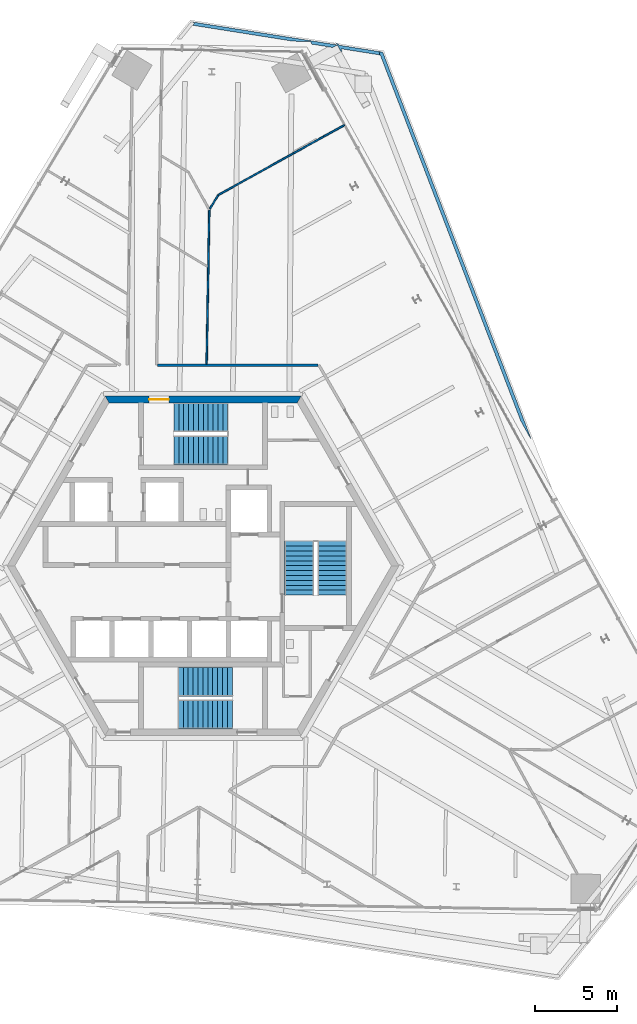
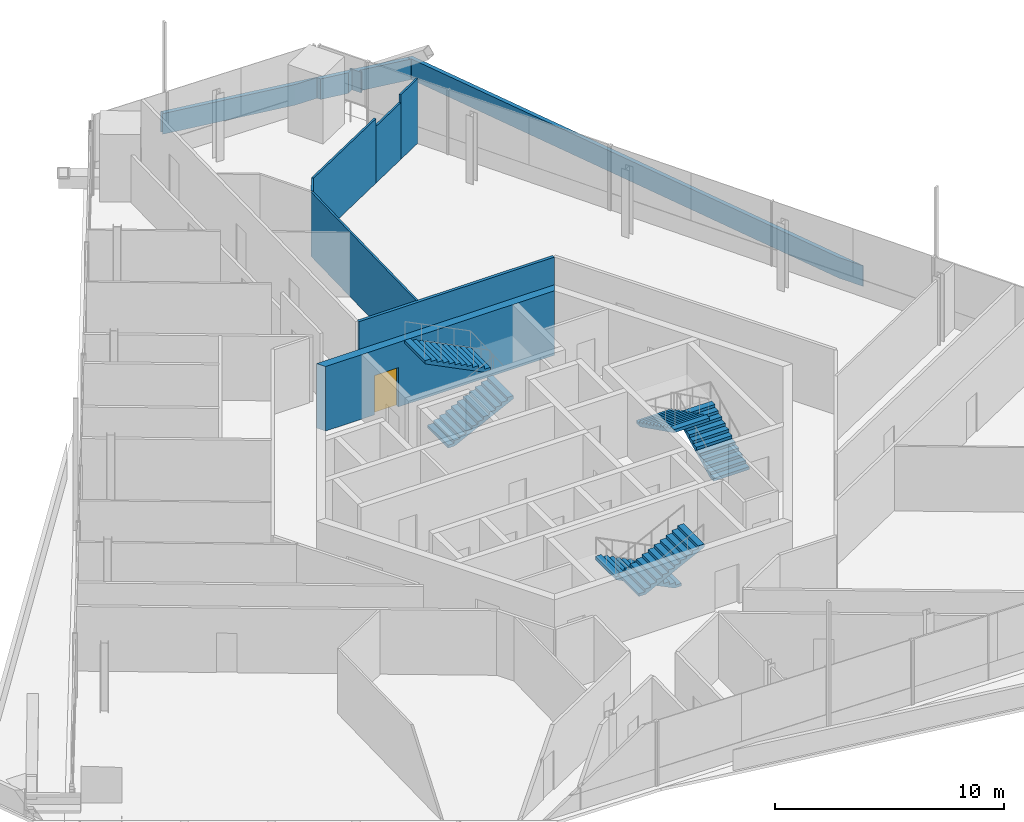
# One storey, part 18 of 22: 10 walls, 6 stair flights, 1 door, 1 opening, 3 elements without a shape of their own.
"""IFC4 building model written with IfcOpenShell, lengths in metres."""

from ifc_helpers import new_model, si_unit, direction, frame, frame_2d, origin, place, context, subcontext, project, spatial, polyline, rectangle, outline, extrude, source, transform, mapped, material, layer, layer_set, type_object, element, fill, aggregate, save


model = new_model("IFC4")

# Units and contexts
model_context = context("Model", 3, precision=1e-05, world=origin(), true_north=direction((0.0, 1.0)))
body_context = subcontext(model_context, "Body", "Model", "MODEL_VIEW")
ifc_project = project(units=[si_unit("LENGTHUNIT", "METRE"), si_unit("AREAUNIT", "SQUARE_METRE"), si_unit("VOLUMEUNIT", "CUBIC_METRE"), si_unit("PLANEANGLEUNIT", "RADIAN"), si_unit("MASSUNIT", "GRAM", prefix="KILO")], contexts=[model_context])

# Site, building, storey
site_placement = place(None, origin())
site = spatial("IfcSite", under=ifc_project, at=site_placement, CompositionType="ELEMENT")
building_placement = place(site_placement, origin())
building = spatial("IfcBuilding", under=site, at=building_placement, Name="Triune Harvest Tower", CompositionType="ELEMENT")
storey_placement = place(building_placement, frame((0.0, 0.0, 179.89990234375)))
storey = spatial("IfcBuildingStorey", under=building, at=storey_placement, Name="L46", CompositionType="ELEMENT", Elevation=179.89990234375)

# Walls
ifc_material_1 = material(Name="Gypsum board on steel studs", Category="steel")
ifc_layer_1 = layer(ifc_material_1, 0.14990234375)
ifc_layer_set_1 = layer_set([ifc_layer_1], Name="Gypsum board on steel studs")
wall_type_1 = type_object("IfcWallType", Name="Fire Partition 150 mm", PredefinedType="PARTITIONING", material=ifc_layer_set_1)
wall_1_placement = place(storey_placement, frame((-2.78955078125, 12.292236328125, 0.0), z_axis=(0.0, 0.0, 1.0), x_axis=(1.0, 0.0, 0.0)))
element("IfcWall", 1, at=wall_1_placement, inside=storey, type_object=wall_type_1, Name="Partition L46 032", PredefinedType="PARTITIONING", context=body_context, shape_type="SweptSolid", body=[
    extrude(rectangle(XDim=9.836669921875, YDim=0.14990234375, at=frame_2d((4.91845703125, 0.0))), origin(), (0.0, 0.0, 1.0), 3.440185546875),
])
ifc_material_2 = material(Name="Concrete 40 MPa", Category="concrete")
ifc_layer_2 = layer(ifc_material_2, 0.199951171875)
ifc_layer_set_2 = layer_set([ifc_layer_2], Name="Concrete 40 MPa")
wall_type_2 = type_object("IfcWallType", Name="PA-1 parapet 200", PredefinedType="PARAPET", material=ifc_layer_set_2)
wall_2_placement = place(storey_placement, origin())
element("IfcWall", 2, at=wall_2_placement, inside=storey, type_object=wall_type_2, Name="Parapet wedge L45 2.2", PredefinedType="PARAPET", context=body_context, shape_type="SweptSolid", body=[
    extrude(outline(polyline([(20.088134765625, 7.80419921875), (20.064453125, 7.793212890625), (19.45849609375, 8.886474609375), (10.856201171875, 31.2958984375), (10.83349609375, 31.299560546875), (10.775390625, 31.450439453125), (10.887451171875, 31.493408203125), (11.001708984375, 31.475341796875), (20.088134765625, 7.80419921875)])), origin(), (0.0, 0.0, 1.0), 1.10009765625),
])
wall_3_placement = place(storey_placement, origin())
element("IfcWall", 3, at=wall_3_placement, inside=storey, type_object=wall_type_2, Name="Parapet wedge L45 2.3", PredefinedType="PARAPET", context=body_context, shape_type="SweptSolid", body=[
    extrude(outline(polyline([(8.43701171875, 31.67919921875), (8.5146484375, 31.538818359375), (8.44873046875, 31.502197265625), (8.15771484375, 32.027099609375), (8.25244140625, 32.01220703125), (8.31396484375, 31.901123046875), (10.887451171875, 31.493408203125), (10.775390625, 31.450439453125), (10.83349609375, 31.299560546875), (8.43701171875, 31.67919921875)])), origin(), (0.0, 0.0, 1.0), 1.10009765625),
])
wall_4_placement = place(storey_placement, origin())
element("IfcWall", 4, at=wall_4_placement, inside=storey, type_object=wall_type_2, Name="Parapet wedge L45 2.4", PredefinedType="PARAPET", context=body_context, shape_type="SweptSolid", body=[
    extrude(outline(polyline([(6.669189453125, 31.958984375), (6.576904296875, 32.125244140625), (5.501953125, 32.14404296875), (-0.631103515625, 33.115478515625), (-0.529296875, 33.240966796875), (-0.62255859375, 33.31640625), (8.2265625, 31.9150390625), (7.9423828125, 31.757568359375), (6.669189453125, 31.958984375)])), origin(), (0.0, 0.0, 1.0), 1.10009765625),
])
ifc_material_3 = material(Name="Gypsum board on steel studs", Category="steel")
ifc_layer_3 = layer(ifc_material_3, 0.10009765625)
ifc_layer_set_3 = layer_set([ifc_layer_3], Name="Gypsum board on steel studs")
wall_type_3 = type_object("IfcWallType", Name="Partition 100 mm", PredefinedType="PARTITIONING", material=ifc_layer_set_3)
wall_5_placement = place(storey_placement, frame((0.9248046875, 22.718505859375, 0.0), z_axis=(0.0, 0.0, 1.0), x_axis=(0.874611490551, 0.484824443067, 0.0)))
element("IfcWall", 5, at=wall_5_placement, inside=storey, type_object=wall_type_3, Name="Partition L46 044", PredefinedType="PARTITIONING", context=body_context, shape_type="SweptSolid", body=[
    extrude(rectangle(XDim=5.29443359375, YDim=0.10009765625, at=frame_2d((2.647216796875, 0.0))), origin(), (0.0, 0.0, 1.0), 3.440185546875),
])
wall_6_placement = place(storey_placement, frame((5.555419921875, 25.285400390625, 0.0), z_axis=(0.0, 0.0, 1.0), x_axis=(0.874621898411, 0.484805667067, 0.0)))
element("IfcWall", 6, at=wall_6_placement, inside=storey, type_object=wall_type_3, Name="Partition L46 044a", PredefinedType="PARTITIONING", context=body_context, shape_type="SweptSolid", body=[
    extrude(rectangle(XDim=2.10498046875, YDim=0.10009765625, at=frame_2d((1.052490234375, 0.0))), origin(), (0.0, 0.0, 1.0), 3.0234375),
])
wall_7_placement = place(storey_placement, frame((7.396484375, 26.305908203125, 0.0), z_axis=(0.0, 0.0, 1.0), x_axis=(0.874655608454, 0.484744846904, 0.0)))
element("IfcWall", 7, at=wall_7_placement, inside=storey, type_object=wall_type_3, Name="Partition L46 044b", PredefinedType="PARTITIONING", context=body_context, shape_type="SweptSolid", body=[
    extrude(rectangle(XDim=1.45458984375, YDim=0.10009765625, at=frame_2d((0.727294921875, 0.0))), origin(), (0.0, 0.0, 1.0), 3.440185546875),
])
wall_8_placement = place(storey_placement, frame((0.416748046875, 21.872802734375, 0.0), z_axis=(0.0, 0.0, 1.0), x_axis=(0.514973592188, 0.85720604253, 0.0)))
element("IfcWall", 8, at=wall_8_placement, inside=storey, type_object=wall_type_3, Name="Partition L46 045", PredefinedType="PARTITIONING", context=body_context, shape_type="SweptSolid", body=[
    extrude(rectangle(XDim=0.9765625, YDim=0.10009765625, at=frame_2d((0.48828125, 0.0))), origin(), (0.0, 0.0, 1.0), 3.440185546875),
])
wall_9_placement = place(storey_placement, frame((0.215576171875, 12.352294921875, 0.0), z_axis=(0.0, 0.0, 1.0), x_axis=(0.017442507321, 0.999847867897, 0.0)))
element("IfcWall", 9, at=wall_9_placement, inside=storey, type_object=wall_type_3, Name="Partition L46 052", PredefinedType="PARTITIONING", context=body_context, shape_type="SweptSolid", body=[
    extrude(rectangle(XDim=9.4619140625, YDim=0.10009765625, at=frame_2d((4.73095703125, 0.0))), origin(), (0.0, 0.0, 1.0), 3.440185546875),
])

# Wall, opening, door
ifc_material_4 = material(Name="Concrete 70 MPa", Category="concrete")
ifc_layer_4 = layer(ifc_material_4, 0.39990234375)
ifc_layer_set_4 = layer_set([ifc_layer_4], Name="Concrete 70 MPa")
wall_type_4 = type_object("IfcWallType", Name="Core wall 400", PredefinedType="SHEAR", material=ifc_layer_set_4)
shared_shape_1 = source(origin(), body_context, "Body", "SweptSolid", [
    extrude(outline(polyline([(-0.115478515625, -0.199951171875), (11.884521484375, -0.199951171875), (11.653564453125, 0.199951171875), (0.115478515625, 0.199951171875), (-0.115478515625, -0.199951171875)])), origin(), (0.0, 0.0, 1.0), 3.440185546875),
])
wall_10_placement = place(storey_placement, frame((5.884521484375, 10.1923828125, 0.0), z_axis=(0.0, 0.0, 1.0), x_axis=(-1.0, 0.0, 0.0)))
wall_10 = element("IfcWall", 10, at=wall_10_placement, inside=storey, type_object=wall_type_4, Name="Hexagon 1 wall", PredefinedType="SHEAR", context=body_context, shape_type="MappedRepresentation", body=[
    mapped(shared_shape_1, transform((0.0, 0.0, 0.0), scale=1.0)),
])
opening_placement = place(wall_10_placement, frame((7.984619140625, 0.0, 0.0)))
opening = element("IfcOpeningElement", 11, at=opening_placement, cuts=wall_10, Name="Opening CD-S1P", PredefinedType="OPENING", context=body_context, shape_type="SweptSolid", body=[
    extrude(rectangle(XDim=1.199951171875, YDim=2.10009765625, at=frame_2d((0.60009765625, 1.050048828125))), frame((0.0, 0.2099609375, 0.0), z_axis=(0.0, -1.0, 0.0), x_axis=(1.0, 0.0, 0.0)), (0.0, 0.0, 1.0), 0.419921875),
])
ifc_material_5 = material(Name="Steel S235", Category="steel")
door_type = type_object("IfcDoorType", Name="Stair door 1200 FD120", OperationType="SINGLE_SWING_LEFT", PredefinedType="DOOR", material=ifc_material_5)
door_placement = place(opening_placement, frame((1.199951171875, 0.0, 0.0), z_axis=(0.0, 0.0, 1.0), x_axis=(-1.0, 0.0, 0.0)))
door = element("IfcDoor", 12, at=door_placement, inside=storey, type_object=door_type, Name="Door CD-S1P", OperationType="SINGLE_SWING_RIGHT", OverallHeight=2.10009765625, OverallWidth=1.199951171875, PredefinedType="DOOR", context=body_context, shape_type="SweptSolid", body=[
    extrude(rectangle(XDim=1.199951171875, YDim=2.10009765625, at=frame_2d((0.60009765625, 1.050048828125))), frame((0.0, 0.02490234375, 0.0), z_axis=(0.0, -1.0, 0.0), x_axis=(1.0, 0.0, 0.0)), (0.0, 0.0, 1.0), 0.050048828125),
])
fill(opening, door)

# Stair, stair flights
ifc_material_6 = material(Name="Concrete 40 MPa", Category="concrete")
stair_type = type_object("IfcStairType", Name="Exit stair 1800 half turn", PredefinedType="HALF_TURN_STAIR", material=ifc_material_6)
stair_1_placement = place(storey_placement, origin())
stair_1 = element("IfcStair", 13, at=stair_1_placement, inside=storey, type_object=stair_type, Name="Exit stair north", PredefinedType="HALF_TURN_STAIR")
ifc_material_7 = material(Name="Concrete 40 MPa", Category="concrete")
stair_flight_type = type_object("IfcStairFlightType", Name="Stair flight 1800", PredefinedType="STRAIGHT", material=ifc_material_7)
shared_shape_2 = source(origin(), body_context, "Body", "SweptSolid", [
    extrude(outline(polyline([(0.0, 0.0), (0.0, 0.14990234375), (0.300048828125, 0.14990234375), (0.300048828125, 0.300048828125), (0.60009765625, 0.300048828125), (0.60009765625, 0.449951171875), (0.89990234375, 0.449951171875), (0.89990234375, 0.60009765625), (1.199951171875, 0.60009765625), (1.199951171875, 0.75), (1.5, 0.75), (1.5, 0.89990234375), (1.800048828125, 0.89990234375), (1.800048828125, 1.050048828125), (2.10009765625, 1.050048828125), (2.10009765625, 1.199951171875), (2.39990234375, 1.199951171875), (2.39990234375, 1.35009765625), (2.699951171875, 1.35009765625), (2.699951171875, 1.5), (3.0, 1.5), (3.0, 1.64990234375), (3.300048828125, 1.64990234375), (3.300048828125, 1.800048828125), (3.300048828125, 1.482421875), (0.335205078125, 0.0), (0.0, 0.0)])), frame((0.0, 0.89990234375, 0.0), z_axis=(0.0, -1.0, 0.0), x_axis=(1.0, 0.0, 0.0)), (0.0, 0.0, 1.0), 1.800048828125),
])
stair_flight_1_placement = place(storey_placement, frame((-1.7900390625, 7.090087890625, 0.0), z_axis=(0.0, 0.0, 1.0), x_axis=(1.0, 0.0, 0.0)))
stair_flight_1 = element("IfcStairFlight", 14, at=stair_flight_1_placement, type_object=stair_flight_type, Name="ST-1 flight 1", NumberOfRisers=12, NumberOfTreads=11, PredefinedType="STRAIGHT", RiserHeight=0.15, TreadLength=0.3, context=body_context, shape_type="MappedRepresentation", body=[
    mapped(shared_shape_2, transform((0.0, 0.0, 0.0), scale=1.0)),
])
stair_flight_2_placement = place(storey_placement, frame((1.510009765625, 9.090087890625, 1.800048828125), z_axis=(0.0, 0.0, 1.0), x_axis=(-1.0, 0.0, 0.0)))
stair_flight_2 = element("IfcStairFlight", 15, at=stair_flight_2_placement, type_object=stair_flight_type, Name="ST-1 flight 2", NumberOfRisers=12, NumberOfTreads=11, PredefinedType="STRAIGHT", RiserHeight=0.15, TreadLength=0.3, context=body_context, shape_type="MappedRepresentation", body=[
    mapped(shared_shape_2, transform((0.0, 0.0, 0.0), scale=1.0)),
])
aggregate(stair_1, [stair_flight_1, stair_flight_2])

stair_2_placement = place(storey_placement, origin())
stair_2 = element("IfcStair", 16, at=stair_2_placement, inside=storey, type_object=stair_type, Name="Exit stair south", PredefinedType="HALF_TURN_STAIR")
stair_flight_3_placement = place(storey_placement, frame((1.7900390625, -7.090087890625, 0.0), z_axis=(0.0, 0.0, 1.0), x_axis=(-1.0, 0.0, 0.0)))
stair_flight_3 = element("IfcStairFlight", 17, at=stair_flight_3_placement, type_object=stair_flight_type, Name="ST-2 flight 1", NumberOfRisers=12, NumberOfTreads=11, PredefinedType="STRAIGHT", RiserHeight=0.15, TreadLength=0.3, context=body_context, shape_type="MappedRepresentation", body=[
    mapped(shared_shape_2, transform((0.0, 0.0, 0.0), scale=1.0)),
])
stair_flight_4_placement = place(storey_placement, frame((-1.510009765625, -9.090087890625, 1.800048828125), z_axis=(0.0, 0.0, 1.0), x_axis=(1.0, 0.0, 0.0)))
stair_flight_4 = element("IfcStairFlight", 18, at=stair_flight_4_placement, type_object=stair_flight_type, Name="ST-2 flight 2", NumberOfRisers=12, NumberOfTreads=11, PredefinedType="STRAIGHT", RiserHeight=0.15, TreadLength=0.3, context=body_context, shape_type="MappedRepresentation", body=[
    mapped(shared_shape_2, transform((0.0, 0.0, 0.0), scale=1.0)),
])
aggregate(stair_2, [stair_flight_3, stair_flight_4])

stair_3_placement = place(storey_placement, origin())
stair_3 = element("IfcStair", 19, at=stair_3_placement, inside=storey, type_object=stair_type, Name="Exit stair east", PredefinedType="HALF_TURN_STAIR")
stair_flight_5_placement = place(storey_placement, frame((7.89990234375, -1.7900390625, 0.0), z_axis=(0.0, 0.0, 1.0), x_axis=(0.0, 1.0, 0.0)))
stair_flight_5 = element("IfcStairFlight", 20, at=stair_flight_5_placement, type_object=stair_flight_type, Name="ST-3 flight 1", NumberOfRisers=12, NumberOfTreads=11, PredefinedType="STRAIGHT", RiserHeight=0.15, TreadLength=0.3, context=body_context, shape_type="MappedRepresentation", body=[
    mapped(shared_shape_2, transform((0.0, 0.0, 0.0), scale=1.0)),
])
stair_flight_6_placement = place(storey_placement, frame((5.89990234375, 1.510009765625, 1.800048828125), z_axis=(0.0, 0.0, 1.0), x_axis=(0.0, -1.0, 0.0)))
stair_flight_6 = element("IfcStairFlight", 21, at=stair_flight_6_placement, type_object=stair_flight_type, Name="ST-3 flight 2", NumberOfRisers=12, NumberOfTreads=11, PredefinedType="STRAIGHT", RiserHeight=0.15, TreadLength=0.3, context=body_context, shape_type="MappedRepresentation", body=[
    mapped(shared_shape_2, transform((0.0, 0.0, 0.0), scale=1.0)),
])
aggregate(stair_3, [stair_flight_5, stair_flight_6])

save(model, "model.ifc")
